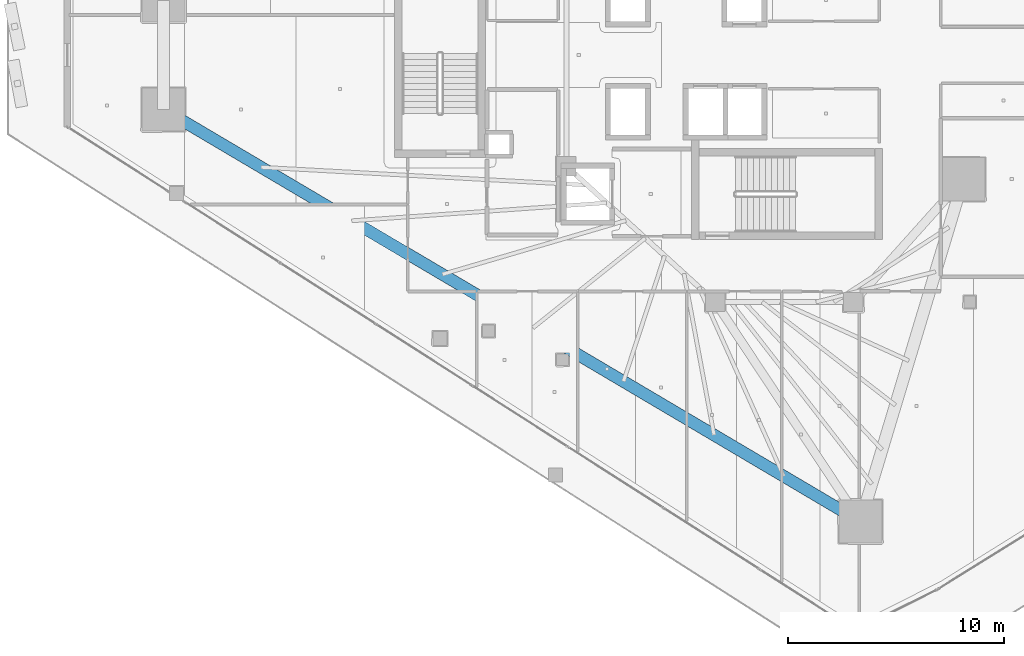
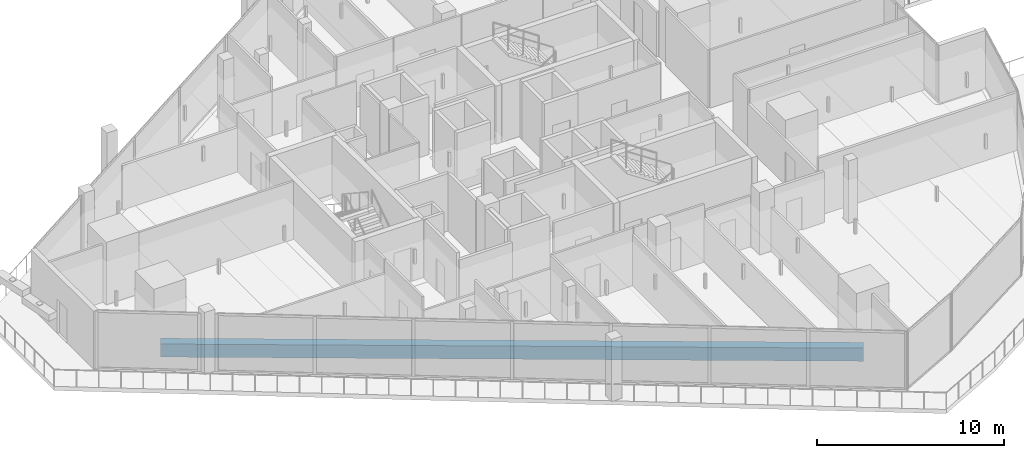
# One storey, part 4 of 33: 1 beam.
"""IFC4 building model written with IfcOpenShell, lengths in metres."""

from ifc_helpers import new_model, si_unit, direction, frame, origin, origin_2d, place, context, subcontext, project, spatial, rectangle, extrude, material, material_profile, profile_set, type_object, element, save


model = new_model("IFC4")

# Units and contexts
model_context = context("Model", 3, precision=1e-05, world=origin(), true_north=direction((0.0, 1.0)))
body_context = subcontext(model_context, "Body", "Model", "MODEL_VIEW")
ifc_project = project(units=[si_unit("LENGTHUNIT", "METRE"), si_unit("AREAUNIT", "SQUARE_METRE"), si_unit("VOLUMEUNIT", "CUBIC_METRE"), si_unit("PLANEANGLEUNIT", "RADIAN"), si_unit("MASSUNIT", "GRAM", prefix="KILO")], contexts=[model_context])

# Site, building, storey
site_placement = place(None, origin())
site = spatial("IfcSite", under=ifc_project, at=site_placement, CompositionType="ELEMENT")
building_placement = place(site_placement, origin())
building = spatial("IfcBuilding", under=site, at=building_placement, Name="Qorvath Tower", CompositionType="ELEMENT")
storey_placement = place(building_placement, frame((0.0, 0.0, 209.10009765625)))
storey = spatial("IfcBuildingStorey", under=building, at=storey_placement, Name="L48", CompositionType="ELEMENT", Elevation=209.10009765625)

# Beam
ifc_material = material(Name="Concrete C50/60", Category="concrete")
ifc_material_profile = material_profile(ifc_material, rectangle(XDim=0.550048828125, YDim=0.85009765625, at=origin_2d()), Name="RCB 850x550")
ifc_profile_set = profile_set([ifc_material_profile], Name="Concrete C50/60")
beam_type = type_object("IfcBeamType", Name="BM-RCB2", PredefinedType="SPANDREL", material=ifc_profile_set)
beam_placement = place(storey_placement, frame((-49.171875, -2.52783203125, -0.695068359375), z_axis=(0.860776759786, -0.50898268125, 0.0), x_axis=(0.50898268125, 0.860776759786, 0.0)))
element("IfcBeam", 1, at=beam_placement, inside=storey, type_object=beam_type, Name="Perimeter Loggia Frame Beam MC2-MC3 L48", PredefinedType="SPANDREL", context=body_context, shape_type="SweptSolid", body=[
    extrude(rectangle(XDim=0.550048828125, YDim=0.85009765625, at=origin_2d()), origin(), (0.0, 0.0, 1.0), 37.524658203125),
])

save(model, "model.ifc")
